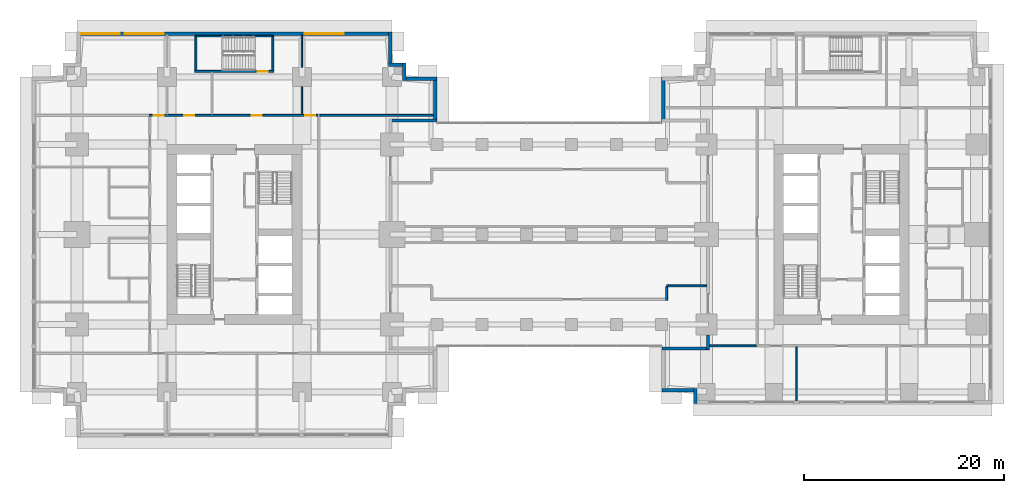
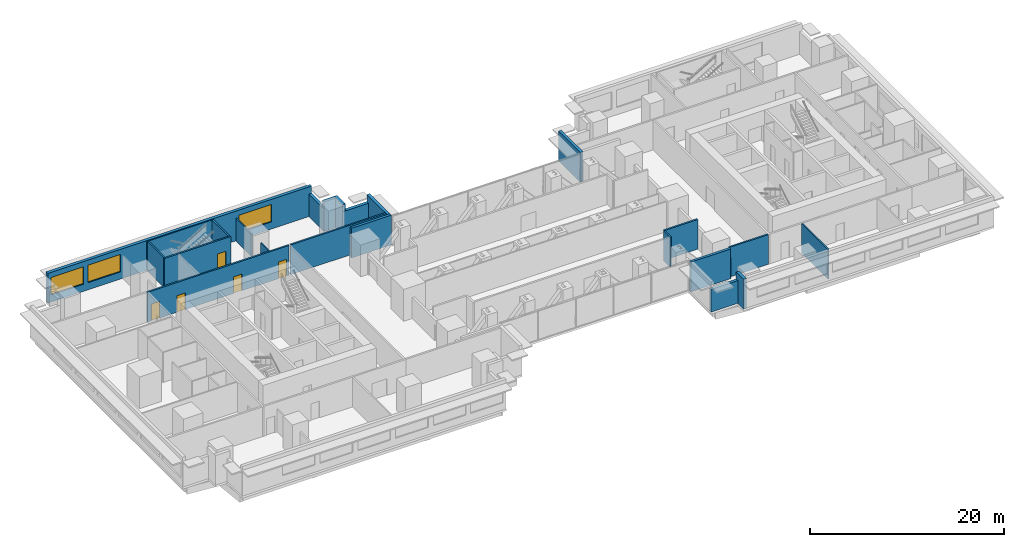
# One storey, part 9 of 15: 24 walls, 5 doors, 3 windows, 8 openings.
"""IFC4 building model written with IfcOpenShell, lengths in metres."""

import ifcopenshell
import ifcopenshell.guid

model = None  # the IFC model being written
_history = None  # IfcOwnerHistory: only IFC2X3 demands one
_inside = {}  # id of a spatial element -> (the spatial element, [elements in it])
_under = {}  # id of a project, library or spatial element -> (it, [spatial elements below it])
_declared = {}  # id of a project -> (the project, [libraries it declares])
_typed = {}  # id of a type object -> (the type object, [elements of that type])
_made_of = {}  # id of a material, layer set ... -> (it, [elements and type objects made of it])


def new_model(schema):
    """Start an empty IFC model of exactly this schema.

    Asked for "IFC4X3", IfcOpenShell would pick the latest addendum, in which some entities
    have other attributes; the version numbers below select the first issue.
    IFC2X3 requires an IfcOwnerHistory on every rooted entity: one is made here for all.
    """
    global model, _history
    if schema == "IFC4X3":
        model = ifcopenshell.file(schema_version=(4, 3, 0, 0))
    else:
        model = ifcopenshell.file(schema=schema)
    _inside.clear()
    _under.clear()
    _declared.clear()
    _typed.clear()
    _made_of.clear()
    _history = None
    if model.schema == "IFC2X3":
        org = make("IfcOrganization", Name="unknown")
        user = make(
            "IfcPersonAndOrganization",
            ThePerson=make("IfcPerson", FamilyName="unknown"),
            TheOrganization=org,
        )
        app = make(
            "IfcApplication",
            ApplicationDeveloper=org,
            Version="unknown",
            ApplicationFullName="unknown",
            ApplicationIdentifier="unknown",
        )
        _history = make(
            "IfcOwnerHistory",
            OwningUser=user,
            OwningApplication=app,
            ChangeAction="ADDED",
            CreationDate=0,
        )
    return model


def make(cls, **values):
    """One entity of the class cls with the attributes given. An attribute that is None is left unset."""
    return model.create_entity(
        cls, **{name: value for name, value in values.items() if value is not None}
    )


def rooted(cls, **values):
    """An entity with a GlobalId (a new one), such as an element, a storey or a relation."""
    return make(cls, GlobalId=ifcopenshell.guid.new(), OwnerHistory=_history, **values)


def si_unit(unit_type, name, prefix=None):
    """IfcSIUnit, for example si_unit("LENGTHUNIT", "METRE", prefix="MILLI")."""
    return make("IfcSIUnit", UnitType=unit_type, Prefix=prefix, Name=name)


def assignment(units):
    """IfcUnitAssignment: the units of a project."""
    return None if units is None else make("IfcUnitAssignment", Units=units)


def point(xyz):
    """IfcCartesianPoint."""
    return None if xyz is None else make("IfcCartesianPoint", Coordinates=xyz)


def direction(xyz):
    """IfcDirection."""
    return None if xyz is None else make("IfcDirection", DirectionRatios=xyz)


def frame(location, z_axis=None, x_axis=None):
    """IfcAxis2Placement3D, a coordinate frame: its origin and axes. An axis left out is left unset."""
    return make(
        "IfcAxis2Placement3D",
        Location=point(location),
        Axis=direction(z_axis),
        RefDirection=direction(x_axis),
    )


def frame_2d(location, x_axis=None):
    """IfcAxis2Placement2D, a coordinate frame in the plane: its origin and x axis."""
    return make(
        "IfcAxis2Placement2D", Location=point(location), RefDirection=direction(x_axis)
    )


def origin():
    """The frame at (0, 0, 0) with its axes left unset."""
    return frame((0.0, 0.0, 0.0))


def place(relative_to, where):
    """IfcLocalPlacement: puts the frame where relative to a parent placement (None: the world)."""
    return make(
        "IfcLocalPlacement", PlacementRelTo=relative_to, RelativePlacement=where
    )


def context(
    kind, dimensions, precision=None, world=None, true_north=None, identifier=None
):
    """IfcGeometricRepresentationContext, for example the 3D "Model" context."""
    return make(
        "IfcGeometricRepresentationContext",
        ContextIdentifier=identifier,
        ContextType=kind,
        CoordinateSpaceDimension=dimensions,
        Precision=precision,
        WorldCoordinateSystem=world,
        TrueNorth=true_north,
    )


def subcontext(parent, identifier, kind, view, scale=None):
    """IfcGeometricRepresentationSubContext, for example "Body" below "Model"."""
    return make(
        "IfcGeometricRepresentationSubContext",
        ContextIdentifier=identifier,
        ContextType=kind,
        ParentContext=parent,
        TargetScale=scale,
        TargetView=view,
    )


def project(units=None, contexts=None):
    """IfcProject with its units and contexts."""
    return rooted(
        "IfcProject",
        Name="project",
        RepresentationContexts=contexts,
        UnitsInContext=assignment(units),
    )


def spatial(cls, under=None, at=None, **own):
    """A site, building, storey or space (cls), placed at a placement, below another one or the project."""
    s = rooted(cls, ObjectPlacement=at, **own)
    if under is not None:
        _under.setdefault(under.id(), (under, []))[1].append(s)
    return s


def profile(cls, at=None, kind="AREA", **sizes):
    """A parametric profile (cls). Its sizes go by their IFC names, for example OverallWidth=200.0."""
    return make(cls, ProfileType=kind, Position=at, **sizes)


def rectangle(**sizes):
    """IfcRectangleProfileDef."""
    return profile("IfcRectangleProfileDef", **sizes)


def extrude(swept, where, along, depth):
    """IfcExtrudedAreaSolid: the profile swept, set in the frame where, extruded along a direction by depth."""
    return make(
        "IfcExtrudedAreaSolid",
        SweptArea=swept,
        Position=where,
        ExtrudedDirection=direction(along),
        Depth=depth,
    )


def shape(context_of_items, identifier, shape_type, items):
    """IfcShapeRepresentation: the items that make up one representation, for example the "Body"."""
    return make(
        "IfcShapeRepresentation",
        ContextOfItems=context_of_items,
        RepresentationIdentifier=identifier,
        RepresentationType=shape_type,
        Items=items,
    )


def material(Name=None, Category=None):
    """IfcMaterial."""
    return make("IfcMaterial", Name=Name, Category=Category)


def layer(
    of_material, thickness, ventilated=None, Name=None, Category=None, Priority=None
):
    """IfcMaterialLayer: one layer of a wall or slab, of a material (None: an air gap)."""
    return make(
        "IfcMaterialLayer",
        Material=of_material,
        LayerThickness=thickness,
        IsVentilated=ventilated,
        Name=Name,
        Category=Category,
        Priority=Priority,
    )


def layer_set(layers, Name=None):
    """IfcMaterialLayerSet."""
    return make("IfcMaterialLayerSet", MaterialLayers=layers, LayerSetName=Name)


def made_of(thing, what):
    """Note that an element or type object is made of a material, layer set ...; save() writes the relation."""
    if what is not None:
        _made_of.setdefault(what.id(), (what, []))[1].append(thing)
    return thing


def type_object(cls, material=None, **own):
    """A type object (cls), such as IfcWallType, which elements share."""
    return made_of(rooted(cls, **own), material)


def element(
    cls,
    number,
    at=None,
    inside=None,
    cuts=None,
    type_object=None,
    material=None,
    context=None,
    identifier="Body",
    shape_type=None,
    held_by="IfcProductDefinitionShape",
    body=None,
    shapes=None,
    **own,
):
    """One element of the class cls, such as IfcWall. Its Tag is "e" and its number.

    at: its placement. inside: the storey or other place that contains it. cuts: it is an
    opening in that element (IfcRelVoidsElement). A single representation is given by context,
    identifier, shape_type and body (its items); several are given by shapes. held_by: the class
    of the entity that holds the representations. save() writes the other relations.
    """
    e = rooted(cls, Tag="e%d" % number, ObjectPlacement=at, **own)
    if body is not None:
        shapes = [shape(context, identifier, shape_type, body)]
    if shapes is not None:
        e.Representation = make(held_by, Representations=shapes)
    if inside is not None:
        _inside.setdefault(inside.id(), (inside, []))[1].append(e)
    if cuts is not None:
        rooted(
            "IfcRelVoidsElement", RelatingBuildingElement=cuts, RelatedOpeningElement=e
        )
    if type_object is not None:
        _typed.setdefault(type_object.id(), (type_object, []))[1].append(e)
    return made_of(e, material)


def fill(opening, filler):
    """IfcRelFillsElement: the door or window that sits in an opening."""
    return rooted(
        "IfcRelFillsElement",
        RelatingOpeningElement=opening,
        RelatedBuildingElement=filler,
    )


def aggregate(whole, parts):
    """IfcRelAggregates: a whole, such as a stair, and the parts it consists of."""
    return rooted("IfcRelAggregates", RelatingObject=whole, RelatedObjects=parts)


def save(model, path):
    """Write the relations noted so far, then the file.

    IfcRelAggregates (storeys below a building ...), IfcRelContainedInSpatialStructure (elements
    in a storey), IfcRelDefinesByType, IfcRelAssociatesMaterial and IfcRelDeclares: one each for
    every whole, place, type object, material and project.
    """
    for whole, parts in _under.values():
        aggregate(whole, parts)
    for where, things in _inside.values():
        rooted(
            "IfcRelContainedInSpatialStructure",
            RelatedElements=things,
            RelatingStructure=where,
        )
    for kind, things in _typed.values():
        rooted("IfcRelDefinesByType", RelatedObjects=things, RelatingType=kind)
    for what, things in _made_of.values():
        rooted("IfcRelAssociatesMaterial", RelatedObjects=things, RelatingMaterial=what)
    for by, libraries in _declared.values():
        rooted("IfcRelDeclares", RelatingContext=by, RelatedDefinitions=libraries)
    model.write(path)


model = new_model("IFC4")

# Units and contexts
model_context = context("Model", 3, precision=1e-05, world=origin(), true_north=direction((0.0, 1.0)))
body_context = subcontext(model_context, "Body", "Model", "MODEL_VIEW")
ifc_project = project(units=[si_unit("LENGTHUNIT", "METRE"), si_unit("AREAUNIT", "SQUARE_METRE"), si_unit("VOLUMEUNIT", "CUBIC_METRE"), si_unit("PLANEANGLEUNIT", "RADIAN"), si_unit("MASSUNIT", "GRAM", prefix="KILO")], contexts=[model_context])

# Site, building, storey
site_placement = place(None, origin())
site = spatial("IfcSite", under=ifc_project, at=site_placement, CompositionType="ELEMENT")
building_placement = place(site_placement, origin())
building = spatial("IfcBuilding", under=site, at=building_placement, Name="Namib Vertical Campus", CompositionType="ELEMENT")
storey_placement = place(building_placement, frame((0.0, 0.0, 109.0)))
storey = spatial("IfcBuildingStorey", under=building, at=storey_placement, Name="L25", CompositionType="ELEMENT", Elevation=109.0)

# Wall, openings, doors
ifc_material_1 = material(Name="Concrete masonry", Category="masonry")
ifc_layer_1 = layer(ifc_material_1, 0.199951171875)
ifc_layer_set_1 = layer_set([ifc_layer_1], Name="Corridor wall 200")
wall_type_1 = type_object("IfcWallType", Name="Corridor wall 200", PredefinedType="SOLIDWALL", material=ifc_layer_set_1)
wall_1_placement = place(storey_placement, frame((28.60009765625, 32.14990234375, 0.0), z_axis=(0.0, 0.0, 1.0), x_axis=(-1.0, 0.0, 0.0)))
wall_1 = element("IfcWall", 1, at=wall_1_placement, inside=storey, type_object=wall_type_1, Name="Corridor wall A L25 CN", PredefinedType="SOLIDWALL", context=body_context, shape_type="SweptSolid", body=[
    extrude(rectangle(XDim=16.900146484375, YDim=0.199951171875, at=frame_2d((8.4501953125, 0.0))), origin(), (0.0, 0.0, 1.0), 3.75),
])
opening_1_placement = place(wall_1_placement, frame((15.425048828125, 0.0, 0.0)))
opening_1 = element("IfcOpeningElement", 2, at=opening_1_placement, cuts=wall_1, Name="Opening CD1", PredefinedType="OPENING", context=body_context, shape_type="SweptSolid", body=[
    extrude(rectangle(XDim=1.0, YDim=2.10009765625, at=frame_2d((0.5, 1.050048828125))), frame((0.0, 0.10986328125, 0.0), z_axis=(0.0, -1.0, 0.0), x_axis=(1.0, 0.0, 0.0)), (0.0, 0.0, 1.0), 0.219970703125),
])
opening_2_placement = place(wall_1_placement, frame((12.35009765625, 0.0, 0.0)))
opening_2 = element("IfcOpeningElement", 3, at=opening_2_placement, cuts=wall_1, Name="Opening CD1", PredefinedType="OPENING", context=body_context, shape_type="SweptSolid", body=[
    extrude(rectangle(XDim=1.0, YDim=2.10009765625, at=frame_2d((0.5, 1.050048828125))), frame((0.0, 0.10986328125, 0.0), z_axis=(0.0, -1.0, 0.0), x_axis=(1.0, 0.0, 0.0)), (0.0, 0.0, 1.0), 0.219970703125),
])
opening_3_placement = place(wall_1_placement, frame((5.60009765625, 0.0, 0.0)))
opening_3 = element("IfcOpeningElement", 4, at=opening_3_placement, cuts=wall_1, Name="Opening CD1", PredefinedType="OPENING", context=body_context, shape_type="SweptSolid", body=[
    extrude(rectangle(XDim=1.0, YDim=2.10009765625, at=frame_2d((0.5, 1.050048828125))), frame((0.0, 0.10986328125, 0.0), z_axis=(0.0, -1.0, 0.0), x_axis=(1.0, 0.0, 0.0)), (0.0, 0.0, 1.0), 0.219970703125),
])
opening_4_placement = place(wall_1_placement, frame((0.27490234375, 0.0, 0.0)))
opening_4 = element("IfcOpeningElement", 5, at=opening_4_placement, cuts=wall_1, Name="Opening CD1", PredefinedType="OPENING", context=body_context, shape_type="SweptSolid", body=[
    extrude(rectangle(XDim=1.0, YDim=2.10009765625, at=frame_2d((0.5, 1.050048828125))), frame((0.0, 0.10986328125, 0.0), z_axis=(0.0, -1.0, 0.0), x_axis=(1.0, 0.0, 0.0)), (0.0, 0.0, 1.0), 0.219970703125),
])
ifc_material_2 = material(Name="Timber fire door leaf", Category="wood")
door_type_1 = type_object("IfcDoorType", Name="Corridor door 1000x2100 20 min", OperationType="SINGLE_SWING_LEFT", PredefinedType="DOOR", material=ifc_material_2)
door_1_placement = place(opening_1_placement, frame((1.0, 0.0, 0.0), z_axis=(0.0, 0.0, 1.0), x_axis=(-1.0, 0.0, 0.0)))
door_1 = element("IfcDoor", 6, at=door_1_placement, inside=storey, type_object=door_type_1, Name="Door CD1 A25-05", OperationType="SINGLE_SWING_RIGHT", OverallHeight=2.10009765625, OverallWidth=1.0, PredefinedType="DOOR", context=body_context, shape_type="SweptSolid", body=[
    extrude(rectangle(XDim=1.0, YDim=2.10009765625, at=frame_2d((0.5, 1.050048828125))), frame((0.0, 0.02490234375, 0.0), z_axis=(0.0, -1.0, 0.0), x_axis=(1.0, 0.0, 0.0)), (0.0, 0.0, 1.0), 0.050048828125),
])
fill(opening_1, door_1)
door_2_placement = place(opening_2_placement, frame((1.0, 0.0, 0.0), z_axis=(0.0, 0.0, 1.0), x_axis=(-1.0, 0.0, 0.0)))
door_2 = element("IfcDoor", 7, at=door_2_placement, inside=storey, type_object=door_type_1, Name="Door CD1 A25-06", OperationType="SINGLE_SWING_RIGHT", OverallHeight=2.10009765625, OverallWidth=1.0, PredefinedType="DOOR", context=body_context, shape_type="SweptSolid", body=[
    extrude(rectangle(XDim=1.0, YDim=2.10009765625, at=frame_2d((0.5, 1.050048828125))), frame((0.0, 0.02490234375, 0.0), z_axis=(0.0, -1.0, 0.0), x_axis=(1.0, 0.0, 0.0)), (0.0, 0.0, 1.0), 0.050048828125),
])
fill(opening_2, door_2)
door_3_placement = place(opening_3_placement, frame((1.0, 0.0, 0.0), z_axis=(0.0, 0.0, 1.0), x_axis=(-1.0, 0.0, 0.0)))
door_3 = element("IfcDoor", 8, at=door_3_placement, inside=storey, type_object=door_type_1, Name="Door CD1 A25-07", OperationType="SINGLE_SWING_RIGHT", OverallHeight=2.10009765625, OverallWidth=1.0, PredefinedType="DOOR", context=body_context, shape_type="SweptSolid", body=[
    extrude(rectangle(XDim=1.0, YDim=2.10009765625, at=frame_2d((0.5, 1.050048828125))), frame((0.0, 0.02490234375, 0.0), z_axis=(0.0, -1.0, 0.0), x_axis=(1.0, 0.0, 0.0)), (0.0, 0.0, 1.0), 0.050048828125),
])
fill(opening_3, door_3)
door_4_placement = place(opening_4_placement, frame((1.0, 0.0, 0.0), z_axis=(0.0, 0.0, 1.0), x_axis=(-1.0, 0.0, 0.0)))
door_4 = element("IfcDoor", 9, at=door_4_placement, inside=storey, type_object=door_type_1, Name="Door CD1 A25-08", OperationType="SINGLE_SWING_LEFT", OverallHeight=2.10009765625, OverallWidth=1.0, PredefinedType="DOOR", context=body_context, shape_type="SweptSolid", body=[
    extrude(rectangle(XDim=1.0, YDim=2.10009765625, at=frame_2d((0.5, 1.050048828125))), frame((0.0, 0.02490234375, 0.0), z_axis=(0.0, -1.0, 0.0), x_axis=(1.0, 0.0, 0.0)), (0.0, 0.0, 1.0), 0.050048828125),
])
fill(opening_4, door_4)

# Walls
wall_2_placement = place(storey_placement, frame((28.800048828125, 32.14990234375, 0.0), z_axis=(0.0, 0.0, 1.0), x_axis=(1.0, 0.0, 0.0)))
element("IfcWall", 10, at=wall_2_placement, inside=storey, type_object=wall_type_1, Name="Partition A L25 BNE", PredefinedType="SOLIDWALL", context=body_context, shape_type="SweptSolid", body=[
    extrude(rectangle(XDim=11.39990234375, YDim=0.199951171875, at=frame_2d((5.699951171875, 0.0))), origin(), (0.0, 0.0, 1.0), 3.75),
])
wall_3_placement = place(storey_placement, frame((67.800048828125, 9.10009765625, 0.0), z_axis=(0.0, 0.0, 1.0), x_axis=(1.0, 0.0, 0.0)))
element("IfcWall", 11, at=wall_3_placement, inside=storey, type_object=wall_type_1, Name="Partition B L25 BSW", PredefinedType="SOLIDWALL", context=body_context, shape_type="SweptSolid", body=[
    extrude(rectangle(XDim=4.64990234375, YDim=0.199951171875, at=frame_2d((2.324951171875, 0.0))), origin(), (0.0, 0.0, 1.0), 3.75),
])
wall_4_placement = place(storey_placement, frame((63.5, 15.10009765625, 0.0), z_axis=(0.0, 0.0, 1.0), x_axis=(1.0, 0.0, 0.0)))
element("IfcWall", 12, at=wall_4_placement, inside=storey, type_object=wall_type_1, Name="Lobby wall L25 E", PredefinedType="SOLIDWALL", context=body_context, shape_type="SweptSolid", body=[
    extrude(rectangle(XDim=4.0, YDim=0.199951171875, at=frame_2d((2.0, 0.0))), origin(), (0.0, 0.0, 1.0), 3.75),
])
wall_5_placement = place(storey_placement, frame((63.5, 13.64990234375, 0.0), z_axis=(0.0, 0.0, 1.0), x_axis=(0.0, 1.0, 0.0)))
element("IfcWall", 13, at=wall_5_placement, inside=storey, type_object=wall_type_1, Name="Lobby side wall L25 E", PredefinedType="SOLIDWALL", context=body_context, shape_type="SweptSolid", body=[
    extrude(rectangle(XDim=1.35009765625, YDim=0.199951171875, at=frame_2d((0.675048828125, 0.0))), origin(), (0.0, 0.0, 1.0), 3.75),
])
ifc_material_3 = material(Name="Concrete C40/50", Category="concrete")
ifc_layer_2 = layer(ifc_material_3, 0.35009765625)
ifc_layer_set_2 = layer_set([ifc_layer_2], Name="Concrete C40/50")
wall_type_2 = type_object("IfcWallType", Name="External wall 350 bush-hammered concrete", PredefinedType="STANDARD", material=ifc_layer_set_2)
wall_6_placement = place(storey_placement, frame((40.324951171875, 31.52001953125, 0.0), z_axis=(0.0, 0.0, 1.0), x_axis=(0.0, 1.0, 0.0)))
element("IfcWall", 14, at=wall_6_placement, inside=storey, type_object=wall_type_2, Name="External wall L25 F11", PredefinedType="STANDARD", context=body_context, shape_type="SweptSolid", body=[
    extrude(rectangle(XDim=4.4599609375, YDim=0.35009765625, at=frame_2d((2.22998046875, 0.0))), origin(), (0.0, 0.0, 1.0), 3.75),
])
wall_7_placement = place(storey_placement, frame((40.47998046875, 35.824951171875, 0.0), z_axis=(0.0, 0.0, 1.0), x_axis=(-1.0, 0.0, 0.0)))
element("IfcWall", 15, at=wall_7_placement, inside=storey, type_object=wall_type_2, Name="External wall L25 F12", PredefinedType="STANDARD", context=body_context, shape_type="SweptSolid", body=[
    extrude(rectangle(XDim=3.409912109375, YDim=0.35009765625, at=frame_2d((1.705078125, 0.0))), origin(), (0.0, 0.0, 1.0), 2.85009765625),
])
for number, where, z_axis, x_axis, name in (
    (16, (37.22509765625, 35.669921875, 0.0), (0.0, 0.0, 1.0), (0.0, 1.0, 0.0), "External wall L25 F13"),
    (17, (37.3798828125, 37.22509765625, 0.0), (0.0, 0.0, 1.0), (-1.0, 0.0, 0.0), "External wall L25 F14"),
):
    element("IfcWall", number, at=place(storey_placement, frame(where, z_axis=z_axis, x_axis=x_axis)), inside=storey, type_object=wall_type_2, Name=name, PredefinedType="STANDARD", context=body_context, shape_type="SweptSolid", body=[
        extrude(rectangle(XDim=1.7099609375, YDim=0.35009765625, at=frame_2d((0.85498046875, 0.0))), origin(), (0.0, 0.0, 1.0), 3.75),
    ])
wall_8_placement = place(storey_placement, frame((35.824951171875, 37.070068359375, 0.0), z_axis=(0.0, 0.0, 1.0), x_axis=(0.0, 1.0, 0.0)))
element("IfcWall", 18, at=wall_8_placement, inside=storey, type_object=wall_type_2, Name="External wall L25 F15", PredefinedType="STANDARD", context=body_context, shape_type="SweptSolid", body=[
    extrude(rectangle(XDim=3.409912109375, YDim=0.35009765625, at=frame_2d((1.705078125, 0.0))), origin(), (0.0, 0.0, 1.0), 2.85009765625),
])

# Wall, openings, windows
wall_9_placement = place(storey_placement, frame((35.97998046875, 40.324951171875, 0.0), z_axis=(0.0, 0.0, 1.0), x_axis=(-1.0, 0.0, 0.0)))
wall_9 = element("IfcWall", 19, at=wall_9_placement, inside=storey, type_object=wall_type_2, Name="External wall L25 F16", PredefinedType="STANDARD", context=body_context, shape_type="SweptSolid", body=[
    extrude(rectangle(XDim=31.4599609375, YDim=0.35009765625, at=frame_2d((15.72998046875, 0.0))), origin(), (0.0, 0.0, 1.0), 3.75),
])
opening_5_placement = place(wall_9_placement, frame((27.2099609375, 0.0, 0.89990234375)))
opening_5 = element("IfcOpeningElement", 20, at=opening_5_placement, cuts=wall_9, Name="Opening W1", PredefinedType="OPENING", context=body_context, shape_type="SweptSolid", body=[
    extrude(rectangle(XDim=3.89990234375, YDim=2.199951171875, at=frame_2d((1.949951171875, 1.10009765625))), frame((0.0, 0.18505859375, 0.0), z_axis=(0.0, -1.0, 0.0), x_axis=(1.0, 0.0, 0.0)), (0.0, 0.0, 1.0), 0.3701171875),
])
opening_6_placement = place(wall_9_placement, frame((22.780029296875, 0.0, 0.89990234375)))
opening_6 = element("IfcOpeningElement", 21, at=opening_6_placement, cuts=wall_9, Name="Opening W1", PredefinedType="OPENING", context=body_context, shape_type="SweptSolid", body=[
    extrude(rectangle(XDim=3.89990234375, YDim=2.199951171875, at=frame_2d((1.949951171875, 1.10009765625))), frame((0.0, 0.18505859375, 0.0), z_axis=(0.0, -1.0, 0.0), x_axis=(1.0, 0.0, 0.0)), (0.0, 0.0, 1.0), 0.3701171875),
])
opening_7_placement = place(wall_9_placement, frame((4.780029296875, 0.0, 0.89990234375)))
opening_7 = element("IfcOpeningElement", 22, at=opening_7_placement, cuts=wall_9, Name="Opening W1", PredefinedType="OPENING", context=body_context, shape_type="SweptSolid", body=[
    extrude(rectangle(XDim=3.89990234375, YDim=2.199951171875, at=frame_2d((1.949951171875, 1.10009765625))), frame((0.0, 0.18505859375, 0.0), z_axis=(0.0, -1.0, 0.0), x_axis=(1.0, 0.0, 0.0)), (0.0, 0.0, 1.0), 0.3701171875),
])
ifc_material_4 = material(Name="Dark tinted glass in black aluminium frame", Category="aluminium")
window_type = type_object("IfcWindowType", Name="Ribbon window 3900x2200", PartitioningType="SINGLE_PANEL", PredefinedType="WINDOW", material=ifc_material_4)
window_1_placement = place(opening_5_placement, origin())
window_1 = element("IfcWindow", 23, at=window_1_placement, inside=storey, type_object=window_type, Name="Window W1 L25 F16-1", OverallHeight=2.199951171875, OverallWidth=3.89990234375, PartitioningType="SINGLE_PANEL", PredefinedType="WINDOW", context=body_context, shape_type="SweptSolid", body=[
    extrude(rectangle(XDim=3.89990234375, YDim=2.199951171875, at=frame_2d((1.949951171875, 1.10009765625))), frame((0.0, 0.030029296875, 0.0), z_axis=(0.0, -1.0, 0.0), x_axis=(1.0, 0.0, 0.0)), (0.0, 0.0, 1.0), 0.06005859375),
])
fill(opening_5, window_1)
window_2_placement = place(opening_6_placement, origin())
window_2 = element("IfcWindow", 24, at=window_2_placement, inside=storey, type_object=window_type, Name="Window W1 L25 F16-2", OverallHeight=2.199951171875, OverallWidth=3.89990234375, PartitioningType="SINGLE_PANEL", PredefinedType="WINDOW", context=body_context, shape_type="SweptSolid", body=[
    extrude(rectangle(XDim=3.89990234375, YDim=2.199951171875, at=frame_2d((1.949951171875, 1.10009765625))), frame((0.0, 0.030029296875, 0.0), z_axis=(0.0, -1.0, 0.0), x_axis=(1.0, 0.0, 0.0)), (0.0, 0.0, 1.0), 0.06005859375),
])
fill(opening_6, window_2)
window_3_placement = place(opening_7_placement, origin())
window_3 = element("IfcWindow", 25, at=window_3_placement, inside=storey, type_object=window_type, Name="Window W1 L25 F16-6", OverallHeight=2.199951171875, OverallWidth=3.89990234375, PartitioningType="SINGLE_PANEL", PredefinedType="WINDOW", context=body_context, shape_type="SweptSolid", body=[
    extrude(rectangle(XDim=3.89990234375, YDim=2.199951171875, at=frame_2d((1.949951171875, 1.10009765625))), frame((0.0, 0.030029296875, 0.0), z_axis=(0.0, -1.0, 0.0), x_axis=(1.0, 0.0, 0.0)), (0.0, 0.0, 1.0), 0.06005859375),
])
fill(opening_7, window_3)

# Walls
wall_10_placement = place(storey_placement, frame((63.02001953125, 4.675048828125, 0.0), z_axis=(0.0, 0.0, 1.0), x_axis=(1.0, 0.0, 0.0)))
element("IfcWall", 26, at=wall_10_placement, inside=storey, type_object=wall_type_2, Name="External wall L25 F02", PredefinedType="STANDARD", context=body_context, shape_type="SweptSolid", body=[
    extrude(rectangle(XDim=3.510009765625, YDim=0.35009765625, at=frame_2d((1.7548828125, 0.0))), origin(), (0.0, 0.0, 1.0), 2.85009765625),
])
wall_11_placement = place(storey_placement, frame((66.375, 4.830078125, 0.0), z_axis=(0.0, 0.0, 1.0), x_axis=(0.0, -1.0, 0.0)))
element("IfcWall", 27, at=wall_11_placement, inside=storey, type_object=wall_type_2, Name="External wall L25 F03", PredefinedType="STANDARD", context=body_context, shape_type="SweptSolid", body=[
    extrude(rectangle(XDim=1.510009765625, YDim=0.35009765625, at=frame_2d((0.7548828125, 0.0))), origin(), (0.0, 0.0, 1.0), 3.75),
])
wall_12_placement = place(storey_placement, frame((63.175048828125, 35.97998046875, 0.0), z_axis=(0.0, 0.0, 1.0), x_axis=(0.0, -1.0, 0.0)))
element("IfcWall", 28, at=wall_12_placement, inside=storey, type_object=wall_type_2, Name="External wall L25 F13", PredefinedType="STANDARD", context=body_context, shape_type="SweptSolid", body=[
    extrude(rectangle(XDim=4.4599609375, YDim=0.35009765625, at=frame_2d((2.22998046875, 0.0))), origin(), (0.0, 0.0, 1.0), 3.75),
])
ifc_material_5 = material(Name="Concrete masonry", Category="masonry")
ifc_layer_3 = layer(ifc_material_5, 0.300048828125)
ifc_layer_set_3 = layer_set([ifc_layer_3], Name="Fire wall 300")
wall_type_3 = type_object("IfcWallType", Name="Fire wall 300", PredefinedType="SOLIDWALL", material=ifc_layer_set_3)
wall_13_placement = place(storey_placement, frame((35.719970703125, 31.64990234375, 0.0), z_axis=(0.0, 0.0, 1.0), x_axis=(1.0, 0.0, 0.0)))
element("IfcWall", 29, at=wall_13_placement, inside=storey, type_object=wall_type_3, Name="External wall L25 F10", PredefinedType="SOLIDWALL", context=body_context, shape_type="SweptSolid", body=[
    extrude(rectangle(XDim=4.760009765625, YDim=0.300048828125, at=frame_2d((2.3798828125, 0.0))), origin(), (0.0, 0.0, 1.0), 3.75),
])
wall_14_placement = place(storey_placement, frame((67.64990234375, 10.199951171875, 0.0), z_axis=(0.0, 0.0, 1.0), x_axis=(0.0, -1.0, 0.0)))
element("IfcWall", 30, at=wall_14_placement, inside=storey, type_object=wall_type_3, Name="External wall L25 F15", PredefinedType="SOLIDWALL", context=body_context, shape_type="SweptSolid", body=[
    extrude(rectangle(XDim=1.47998046875, YDim=0.300048828125, at=frame_2d((0.739990234375, 0.0))), origin(), (0.0, 0.0, 1.0), 2.64990234375),
])
wall_15_placement = place(storey_placement, frame((67.780029296875, 8.85009765625, 0.0), z_axis=(0.0, 0.0, 1.0), x_axis=(-1.0, 0.0, 0.0)))
element("IfcWall", 31, at=wall_15_placement, inside=storey, type_object=wall_type_3, Name="External wall L25 F16", PredefinedType="SOLIDWALL", context=body_context, shape_type="SweptSolid", body=[
    extrude(rectangle(XDim=4.760009765625, YDim=0.300048828125, at=frame_2d((2.3798828125, 0.0))), origin(), (0.0, 0.0, 1.0), 3.75),
])
ifc_material_6 = material(Name="Gypsum board on steel studs", Category="steel")
ifc_layer_4 = layer(ifc_material_6, 0.14990234375)
ifc_layer_set_4 = layer_set([ifc_layer_4], Name="Gypsum board on steel studs")
wall_type_4 = type_object("IfcWallType", Name="Partition 150", PredefinedType="PARTITIONING", material=ifc_layer_set_4)
wall_16_placement = place(storey_placement, frame((27.0, 32.25, 0.0), z_axis=(0.0, 0.0, 1.0), x_axis=(0.0, 1.0, 0.0)))
element("IfcWall", 32, at=wall_16_placement, inside=storey, type_object=wall_type_4, Name="Partition A L25 PN3", PredefinedType="PARTITIONING", context=body_context, shape_type="SweptSolid", body=[
    extrude(rectangle(XDim=2.780029296875, YDim=0.14990234375, at=frame_2d((1.39013671875, 0.0))), origin(), (0.0, 0.0, 1.0), 2.85009765625),
])
wall_17_placement = place(storey_placement, frame((27.0, 36.969970703125, 0.0), z_axis=(0.0, 0.0, 1.0), x_axis=(0.0, 1.0, 0.0)))
element("IfcWall", 33, at=wall_17_placement, inside=storey, type_object=wall_type_4, Name="Partition A L25 PN3", PredefinedType="PARTITIONING", context=body_context, shape_type="SweptSolid", body=[
    extrude(rectangle(XDim=3.22998046875, YDim=0.14990234375, at=frame_2d((1.614990234375, 0.0))), origin(), (0.0, 0.0, 1.0), 2.85009765625),
])
wall_18_placement = place(storey_placement, frame((76.5, 3.60009765625, 0.0), z_axis=(0.0, 0.0, 1.0), x_axis=(0.0, 1.0, 0.0)))
element("IfcWall", 34, at=wall_18_placement, inside=storey, type_object=wall_type_4, Name="Partition B L25 PS1", PredefinedType="PARTITIONING", context=body_context, shape_type="SweptSolid", body=[
    extrude(rectangle(XDim=5.39990234375, YDim=0.14990234375, at=frame_2d((2.699951171875, 0.0))), origin(), (0.0, 0.0, 1.0), 3.75),
])
ifc_material_7 = material(Name="Concrete C40/50", Category="concrete")
ifc_layer_5 = layer(ifc_material_7, 0.14990234375)
ifc_layer_set_5 = layer_set([ifc_layer_5], Name="Concrete C40/50")
wall_type_5 = type_object("IfcWallType", Name="Stair enclosure wall RC 150", PredefinedType="SOLIDWALL", material=ifc_layer_set_5)
wall_19_placement = place(storey_placement, frame((16.300048828125, 40.074951171875, 0.0), z_axis=(0.0, 0.0, 1.0), x_axis=(1.0, 0.0, 0.0)))
element("IfcWall", 35, at=wall_19_placement, inside=storey, type_object=wall_type_5, Name="Stair enclosure wall A-S3 L25 N", PredefinedType="SOLIDWALL", context=body_context, shape_type="SweptSolid", body=[
    extrude(rectangle(XDim=7.89990234375, YDim=0.14990234375, at=frame_2d((3.949951171875, 0.0))), origin(), (0.0, 0.0, 1.0), 3.75),
])

# Wall, opening, door
ifc_material_8 = material(Name="Concrete C40/50", Category="concrete")
ifc_layer_6 = layer(ifc_material_8, 0.199951171875)
ifc_layer_set_6 = layer_set([ifc_layer_6], Name="Concrete C40/50")
wall_type_6 = type_object("IfcWallType", Name="Stair enclosure wall RC 200", PredefinedType="SOLIDWALL", material=ifc_layer_set_6)
wall_20_placement = place(storey_placement, frame((16.300048828125, 36.550048828125, 0.0), z_axis=(0.0, 0.0, 1.0), x_axis=(1.0, 0.0, 0.0)))
wall_20 = element("IfcWall", 36, at=wall_20_placement, inside=storey, type_object=wall_type_6, Name="Stair enclosure wall A-S3 L25 S", PredefinedType="SOLIDWALL", context=body_context, shape_type="SweptSolid", body=[
    extrude(rectangle(XDim=7.89990234375, YDim=0.199951171875, at=frame_2d((3.949951171875, 0.0))), origin(), (0.0, 0.0, 1.0), 3.75),
])
opening_8_placement = place(wall_20_placement, frame((6.300048828125, 0.0, 0.0)))
opening_8 = element("IfcOpeningElement", 37, at=opening_8_placement, cuts=wall_20, Name="Opening FD1", PredefinedType="OPENING", context=body_context, shape_type="SweptSolid", body=[
    extrude(rectangle(XDim=1.0, YDim=2.10009765625, at=frame_2d((0.5, 1.050048828125))), frame((0.0, 0.10986328125, 0.0), z_axis=(0.0, -1.0, 0.0), x_axis=(1.0, 0.0, 0.0)), (0.0, 0.0, 1.0), 0.219970703125),
])
ifc_material_9 = material(Name="Steel fire door", Category="steel")
door_type_2 = type_object("IfcDoorType", Name="Fire door 1000x2100", OperationType="SINGLE_SWING_RIGHT", PredefinedType="DOOR", material=ifc_material_9)
door_5_placement = place(opening_8_placement, origin())
door_5 = element("IfcDoor", 38, at=door_5_placement, inside=storey, type_object=door_type_2, Name="Stair door FD1 A L25 S3", OperationType="SINGLE_SWING_RIGHT", OverallHeight=2.10009765625, OverallWidth=1.0, PredefinedType="DOOR", context=body_context, shape_type="SweptSolid", body=[
    extrude(rectangle(XDim=1.0, YDim=2.10009765625, at=frame_2d((0.5, 1.050048828125))), frame((0.0, 0.02490234375, 0.0), z_axis=(0.0, -1.0, 0.0), x_axis=(1.0, 0.0, 0.0)), (0.0, 0.0, 1.0), 0.050048828125),
])
fill(opening_8, door_5)

# Walls
for number, where, z_axis, x_axis, name in (
    (39, (16.39990234375, 36.64990234375, 0.0), (0.0, 0.0, 1.0), (0.0, 1.0, 0.0), "Stair enclosure wall A-S3 L25 W"),
    (40, (24.10009765625, 36.64990234375, 0.0), (0.0, 0.0, 1.0), (0.0, 1.0, 0.0), "Stair enclosure wall A-S3 L25 E"),
):
    element("IfcWall", number, at=place(storey_placement, frame(where, z_axis=z_axis, x_axis=x_axis)), inside=storey, type_object=wall_type_6, Name=name, PredefinedType="SOLIDWALL", context=body_context, shape_type="SweptSolid", body=[
        extrude(rectangle(XDim=3.35009765625, YDim=0.199951171875, at=frame_2d((1.675048828125, 0.0))), origin(), (0.0, 0.0, 1.0), 3.75),
    ])

save(model, "model.ifc")
